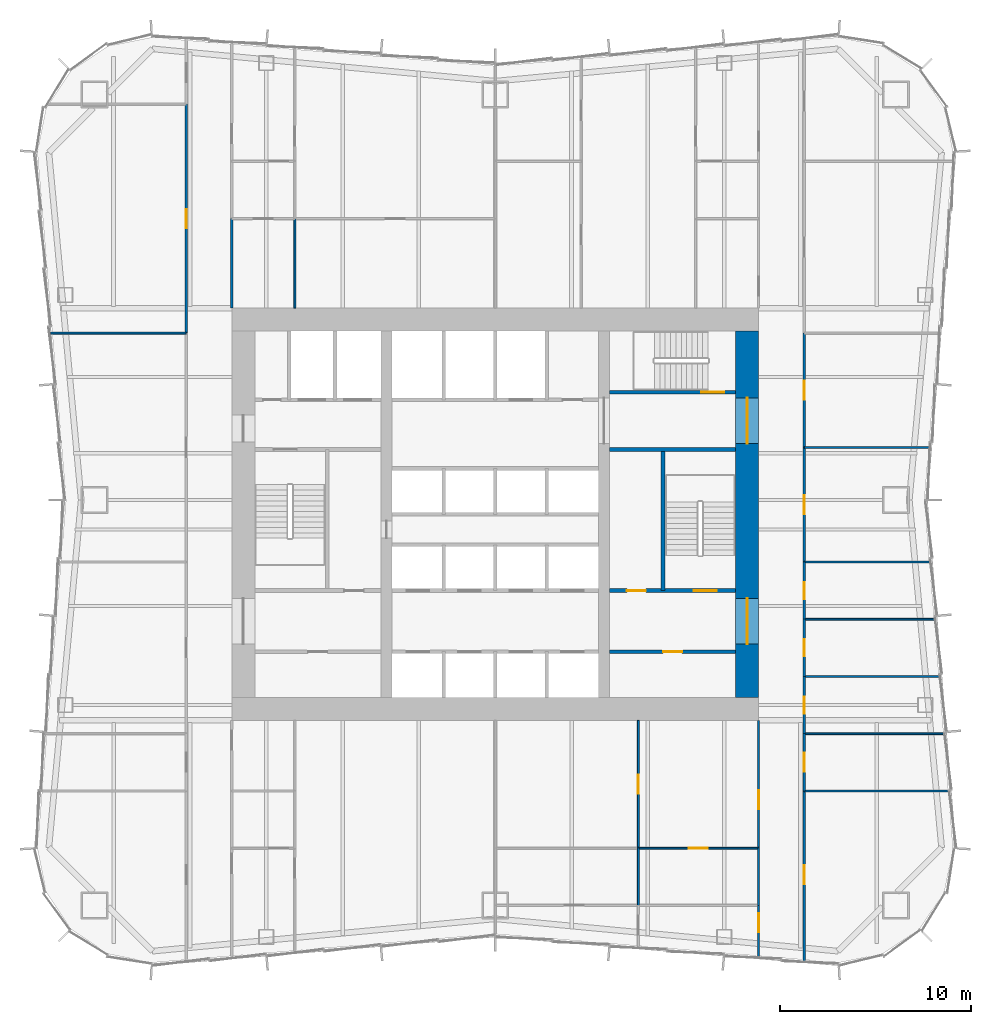
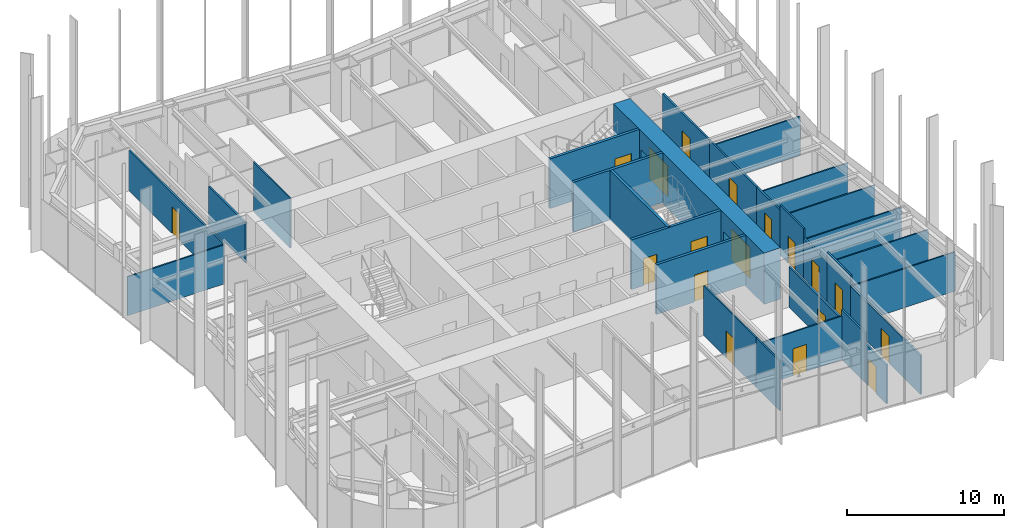
# One storey, part 10 of 13: 29 walls, 18 doors, 18 openings.
"""IFC4 building model written with IfcOpenShell, lengths in metres."""

import ifcopenshell
import ifcopenshell.guid

model = None  # the IFC model being written
_history = None  # IfcOwnerHistory: only IFC2X3 demands one
_inside = {}  # id of a spatial element -> (the spatial element, [elements in it])
_under = {}  # id of a project, library or spatial element -> (it, [spatial elements below it])
_declared = {}  # id of a project -> (the project, [libraries it declares])
_typed = {}  # id of a type object -> (the type object, [elements of that type])
_made_of = {}  # id of a material, layer set ... -> (it, [elements and type objects made of it])


def new_model(schema):
    """Start an empty IFC model of exactly this schema.

    Asked for "IFC4X3", IfcOpenShell would pick the latest addendum, in which some entities
    have other attributes; the version numbers below select the first issue.
    IFC2X3 requires an IfcOwnerHistory on every rooted entity: one is made here for all.
    """
    global model, _history
    if schema == "IFC4X3":
        model = ifcopenshell.file(schema_version=(4, 3, 0, 0))
    else:
        model = ifcopenshell.file(schema=schema)
    _inside.clear()
    _under.clear()
    _declared.clear()
    _typed.clear()
    _made_of.clear()
    _history = None
    if model.schema == "IFC2X3":
        org = make("IfcOrganization", Name="unknown")
        user = make(
            "IfcPersonAndOrganization",
            ThePerson=make("IfcPerson", FamilyName="unknown"),
            TheOrganization=org,
        )
        app = make(
            "IfcApplication",
            ApplicationDeveloper=org,
            Version="unknown",
            ApplicationFullName="unknown",
            ApplicationIdentifier="unknown",
        )
        _history = make(
            "IfcOwnerHistory",
            OwningUser=user,
            OwningApplication=app,
            ChangeAction="ADDED",
            CreationDate=0,
        )
    return model


def make(cls, **values):
    """One entity of the class cls with the attributes given. An attribute that is None is left unset."""
    return model.create_entity(
        cls, **{name: value for name, value in values.items() if value is not None}
    )


def rooted(cls, **values):
    """An entity with a GlobalId (a new one), such as an element, a storey or a relation."""
    return make(cls, GlobalId=ifcopenshell.guid.new(), OwnerHistory=_history, **values)


def si_unit(unit_type, name, prefix=None):
    """IfcSIUnit, for example si_unit("LENGTHUNIT", "METRE", prefix="MILLI")."""
    return make("IfcSIUnit", UnitType=unit_type, Prefix=prefix, Name=name)


def assignment(units):
    """IfcUnitAssignment: the units of a project."""
    return None if units is None else make("IfcUnitAssignment", Units=units)


def point(xyz):
    """IfcCartesianPoint."""
    return None if xyz is None else make("IfcCartesianPoint", Coordinates=xyz)


def direction(xyz):
    """IfcDirection."""
    return None if xyz is None else make("IfcDirection", DirectionRatios=xyz)


def frame(location, z_axis=None, x_axis=None):
    """IfcAxis2Placement3D, a coordinate frame: its origin and axes. An axis left out is left unset."""
    return make(
        "IfcAxis2Placement3D",
        Location=point(location),
        Axis=direction(z_axis),
        RefDirection=direction(x_axis),
    )


def frame_2d(location, x_axis=None):
    """IfcAxis2Placement2D, a coordinate frame in the plane: its origin and x axis."""
    return make(
        "IfcAxis2Placement2D", Location=point(location), RefDirection=direction(x_axis)
    )


def origin():
    """The frame at (0, 0, 0) with its axes left unset."""
    return frame((0.0, 0.0, 0.0))


def place(relative_to, where):
    """IfcLocalPlacement: puts the frame where relative to a parent placement (None: the world)."""
    return make(
        "IfcLocalPlacement", PlacementRelTo=relative_to, RelativePlacement=where
    )


def context(
    kind, dimensions, precision=None, world=None, true_north=None, identifier=None
):
    """IfcGeometricRepresentationContext, for example the 3D "Model" context."""
    return make(
        "IfcGeometricRepresentationContext",
        ContextIdentifier=identifier,
        ContextType=kind,
        CoordinateSpaceDimension=dimensions,
        Precision=precision,
        WorldCoordinateSystem=world,
        TrueNorth=true_north,
    )


def subcontext(parent, identifier, kind, view, scale=None):
    """IfcGeometricRepresentationSubContext, for example "Body" below "Model"."""
    return make(
        "IfcGeometricRepresentationSubContext",
        ContextIdentifier=identifier,
        ContextType=kind,
        ParentContext=parent,
        TargetScale=scale,
        TargetView=view,
    )


def project(units=None, contexts=None):
    """IfcProject with its units and contexts."""
    return rooted(
        "IfcProject",
        Name="project",
        RepresentationContexts=contexts,
        UnitsInContext=assignment(units),
    )


def spatial(cls, under=None, at=None, **own):
    """A site, building, storey or space (cls), placed at a placement, below another one or the project."""
    s = rooted(cls, ObjectPlacement=at, **own)
    if under is not None:
        _under.setdefault(under.id(), (under, []))[1].append(s)
    return s


def profile(cls, at=None, kind="AREA", **sizes):
    """A parametric profile (cls). Its sizes go by their IFC names, for example OverallWidth=200.0."""
    return make(cls, ProfileType=kind, Position=at, **sizes)


def rectangle(**sizes):
    """IfcRectangleProfileDef."""
    return profile("IfcRectangleProfileDef", **sizes)


def extrude(swept, where, along, depth):
    """IfcExtrudedAreaSolid: the profile swept, set in the frame where, extruded along a direction by depth."""
    return make(
        "IfcExtrudedAreaSolid",
        SweptArea=swept,
        Position=where,
        ExtrudedDirection=direction(along),
        Depth=depth,
    )


def shape(context_of_items, identifier, shape_type, items):
    """IfcShapeRepresentation: the items that make up one representation, for example the "Body"."""
    return make(
        "IfcShapeRepresentation",
        ContextOfItems=context_of_items,
        RepresentationIdentifier=identifier,
        RepresentationType=shape_type,
        Items=items,
    )


def material(Name=None, Category=None):
    """IfcMaterial."""
    return make("IfcMaterial", Name=Name, Category=Category)


def layer(
    of_material, thickness, ventilated=None, Name=None, Category=None, Priority=None
):
    """IfcMaterialLayer: one layer of a wall or slab, of a material (None: an air gap)."""
    return make(
        "IfcMaterialLayer",
        Material=of_material,
        LayerThickness=thickness,
        IsVentilated=ventilated,
        Name=Name,
        Category=Category,
        Priority=Priority,
    )


def layer_set(layers, Name=None):
    """IfcMaterialLayerSet."""
    return make("IfcMaterialLayerSet", MaterialLayers=layers, LayerSetName=Name)


def made_of(thing, what):
    """Note that an element or type object is made of a material, layer set ...; save() writes the relation."""
    if what is not None:
        _made_of.setdefault(what.id(), (what, []))[1].append(thing)
    return thing


def type_object(cls, material=None, **own):
    """A type object (cls), such as IfcWallType, which elements share."""
    return made_of(rooted(cls, **own), material)


def element(
    cls,
    number,
    at=None,
    inside=None,
    cuts=None,
    type_object=None,
    material=None,
    context=None,
    identifier="Body",
    shape_type=None,
    held_by="IfcProductDefinitionShape",
    body=None,
    shapes=None,
    **own,
):
    """One element of the class cls, such as IfcWall. Its Tag is "e" and its number.

    at: its placement. inside: the storey or other place that contains it. cuts: it is an
    opening in that element (IfcRelVoidsElement). A single representation is given by context,
    identifier, shape_type and body (its items); several are given by shapes. held_by: the class
    of the entity that holds the representations. save() writes the other relations.
    """
    e = rooted(cls, Tag="e%d" % number, ObjectPlacement=at, **own)
    if body is not None:
        shapes = [shape(context, identifier, shape_type, body)]
    if shapes is not None:
        e.Representation = make(held_by, Representations=shapes)
    if inside is not None:
        _inside.setdefault(inside.id(), (inside, []))[1].append(e)
    if cuts is not None:
        rooted(
            "IfcRelVoidsElement", RelatingBuildingElement=cuts, RelatedOpeningElement=e
        )
    if type_object is not None:
        _typed.setdefault(type_object.id(), (type_object, []))[1].append(e)
    return made_of(e, material)


def fill(opening, filler):
    """IfcRelFillsElement: the door or window that sits in an opening."""
    return rooted(
        "IfcRelFillsElement",
        RelatingOpeningElement=opening,
        RelatedBuildingElement=filler,
    )


def aggregate(whole, parts):
    """IfcRelAggregates: a whole, such as a stair, and the parts it consists of."""
    return rooted("IfcRelAggregates", RelatingObject=whole, RelatedObjects=parts)


def save(model, path):
    """Write the relations noted so far, then the file.

    IfcRelAggregates (storeys below a building ...), IfcRelContainedInSpatialStructure (elements
    in a storey), IfcRelDefinesByType, IfcRelAssociatesMaterial and IfcRelDeclares: one each for
    every whole, place, type object, material and project.
    """
    for whole, parts in _under.values():
        aggregate(whole, parts)
    for where, things in _inside.values():
        rooted(
            "IfcRelContainedInSpatialStructure",
            RelatedElements=things,
            RelatingStructure=where,
        )
    for kind, things in _typed.values():
        rooted("IfcRelDefinesByType", RelatedObjects=things, RelatingType=kind)
    for what, things in _made_of.values():
        rooted("IfcRelAssociatesMaterial", RelatedObjects=things, RelatingMaterial=what)
    for by, libraries in _declared.values():
        rooted("IfcRelDeclares", RelatingContext=by, RelatedDefinitions=libraries)
    model.write(path)


model = new_model("IFC4")

# Units and contexts
model_context = context("Model", 3, precision=1e-05, world=origin(), true_north=direction((0.0, 1.0)))
body_context = subcontext(model_context, "Body", "Model", "MODEL_VIEW")
ifc_project = project(units=[si_unit("LENGTHUNIT", "METRE"), si_unit("AREAUNIT", "SQUARE_METRE"), si_unit("VOLUMEUNIT", "CUBIC_METRE"), si_unit("PLANEANGLEUNIT", "RADIAN"), si_unit("MASSUNIT", "GRAM", prefix="KILO")], contexts=[model_context])

# Site, building, storey
site_placement = place(None, origin())
site = spatial("IfcSite", under=ifc_project, at=site_placement, CompositionType="ELEMENT")
building_placement = place(site_placement, origin())
building = spatial("IfcBuilding", under=site, at=building_placement, Name="Verdant Reach Tower", CompositionType="ELEMENT")
storey_placement = place(building_placement, frame((0.0, 0.0, 82.0)))
storey = spatial("IfcBuildingStorey", under=building, at=storey_placement, Name="L18", CompositionType="ELEMENT", Elevation=82.0)

# Wall, opening, door
ifc_material_1 = material(Name="Gypsum board on steel studs", Category="steel")
ifc_layer_1 = layer(ifc_material_1, 0.199951171875)
ifc_layer_set_1 = layer_set([ifc_layer_1], Name="CO-WALL-ROOM")
wall_type_1 = type_object("IfcWallType", Name="CO-WALL-ROOM", PredefinedType="PARTITIONING", material=ifc_layer_set_1)
wall_1_placement = place(storey_placement, frame((6.0, 20.800048828125, 0.0), z_axis=(0.0, 0.0, 1.0), x_axis=(1.0, 0.0, 0.0)))
wall_1 = element("IfcWall", 1, at=wall_1_placement, inside=storey, type_object=wall_type_1, Name="Core partition, L18", PredefinedType="PARTITIONING", context=body_context, shape_type="SweptSolid", body=[
    extrude(rectangle(XDim=6.60009765625, YDim=0.199951171875, at=frame_2d((3.300048828125, 0.0))), origin(), (0.0, 0.0, 1.0), 3.8701171875),
])
opening_1_placement = place(wall_1_placement, frame((2.800048828125, 0.0, 0.0)))
opening_1 = element("IfcOpeningElement", 2, at=opening_1_placement, cuts=wall_1, Name="Opening CD", PredefinedType="OPENING", context=body_context, shape_type="SweptSolid", body=[
    extrude(rectangle(XDim=1.0, YDim=2.10009765625, at=frame_2d((0.5, 1.050048828125))), frame((0.0, 0.10986328125, 0.0), z_axis=(0.0, -1.0, 0.0), x_axis=(1.0, 0.0, 0.0)), (0.0, 0.0, 1.0), 0.219970703125),
])
ifc_material_2 = material(Name="Timber", Category="wood")
door_type_1 = type_object("IfcDoorType", Name="CO-DOOR-ROOM", OperationType="NOTDEFINED", PredefinedType="DOOR", material=ifc_material_2)
door_1_placement = place(opening_1_placement, origin())
door_1 = element("IfcDoor", 3, at=door_1_placement, inside=storey, type_object=door_type_1, Name="Core room door, L18", OperationType="SINGLE_SWING_RIGHT", OverallHeight=2.10009765625, OverallWidth=1.0, PredefinedType="DOOR", context=body_context, shape_type="SweptSolid", body=[
    extrude(rectangle(XDim=1.0, YDim=2.10009765625, at=frame_2d((0.5, 1.050048828125))), frame((0.0, 0.02490234375, 0.0), z_axis=(0.0, -1.0, 0.0), x_axis=(1.0, 0.0, 0.0)), (0.0, 0.0, 1.0), 0.050048828125),
])
fill(opening_1, door_1)

# Wall, openings, doors
ifc_material_3 = material(Name="Concrete C40/50", Category="concrete")
ifc_layer_2 = layer(ifc_material_3, 0.199951171875)
ifc_layer_set_2 = layer_set([ifc_layer_2], Name="CO-WALL-STAIR")
wall_type_2 = type_object("IfcWallType", Name="CO-WALL-STAIR", PredefinedType="PARTITIONING", material=ifc_layer_set_2)
wall_2_placement = place(storey_placement, frame((6.0, 24.0, 0.0), z_axis=(0.0, 0.0, 1.0), x_axis=(1.0, 0.0, 0.0)))
wall_2 = element("IfcWall", 4, at=wall_2_placement, inside=storey, type_object=wall_type_2, Name="Stair enclosure wall, L18", PredefinedType="PARTITIONING", context=body_context, shape_type="SweptSolid", body=[
    extrude(rectangle(XDim=6.60009765625, YDim=0.199951171875, at=frame_2d((3.300048828125, 0.0))), origin(), (0.0, 0.0, 1.0), 3.8701171875),
])
opening_2_placement = place(wall_2_placement, frame((0.89990234375, 0.0, 0.0)))
opening_2 = element("IfcOpeningElement", 5, at=opening_2_placement, cuts=wall_2, Name="Opening CD", PredefinedType="OPENING", context=body_context, shape_type="SweptSolid", body=[
    extrude(rectangle(XDim=1.0, YDim=2.10009765625, at=frame_2d((0.5, 1.050048828125))), frame((0.0, 0.10986328125, 0.0), z_axis=(0.0, -1.0, 0.0), x_axis=(1.0, 0.0, 0.0)), (0.0, 0.0, 1.0), 0.219970703125),
])
opening_3_placement = place(wall_2_placement, frame((4.39990234375, 0.0, 0.0)))
opening_3 = element("IfcOpeningElement", 6, at=opening_3_placement, cuts=wall_2, Name="Opening SD", PredefinedType="OPENING", context=body_context, shape_type="SweptSolid", body=[
    extrude(rectangle(XDim=1.199951171875, YDim=2.199951171875, at=frame_2d((0.60009765625, 1.10009765625))), frame((0.0, 0.10986328125, 0.0), z_axis=(0.0, -1.0, 0.0), x_axis=(1.0, 0.0, 0.0)), (0.0, 0.0, 1.0), 0.219970703125),
])
door_2_placement = place(opening_2_placement, origin())
door_2 = element("IfcDoor", 7, at=door_2_placement, inside=storey, type_object=door_type_1, Name="Core room door, L18", OperationType="SINGLE_SWING_LEFT", OverallHeight=2.10009765625, OverallWidth=1.0, PredefinedType="DOOR", context=body_context, shape_type="SweptSolid", body=[
    extrude(rectangle(XDim=1.0, YDim=2.10009765625, at=frame_2d((0.5, 1.050048828125))), frame((0.0, 0.02490234375, 0.0), z_axis=(0.0, -1.0, 0.0), x_axis=(1.0, 0.0, 0.0)), (0.0, 0.0, 1.0), 0.050048828125),
])
fill(opening_2, door_2)
ifc_material_4 = material(Name="Steel", Category="steel")
door_type_2 = type_object("IfcDoorType", Name="CO-DOOR-STAIR", OperationType="NOTDEFINED", PredefinedType="DOOR", material=ifc_material_4)
door_3_placement = place(opening_3_placement, origin())
door_3 = element("IfcDoor", 8, at=door_3_placement, inside=storey, type_object=door_type_2, Name="Stair door, L18", OperationType="SINGLE_SWING_LEFT", OverallHeight=2.199951171875, OverallWidth=1.199951171875, PredefinedType="DOOR", context=body_context, shape_type="SweptSolid", body=[
    extrude(rectangle(XDim=1.199951171875, YDim=2.199951171875, at=frame_2d((0.60009765625, 1.10009765625))), frame((0.0, 0.02490234375, 0.0), z_axis=(0.0, -1.0, 0.0), x_axis=(1.0, 0.0, 0.0)), (0.0, 0.0, 1.0), 0.050048828125),
])
fill(opening_3, door_3)

# Wall
wall_3_placement = place(storey_placement, frame((6.0, 31.39990234375, 0.0), z_axis=(0.0, 0.0, 1.0), x_axis=(1.0, 0.0, 0.0)))
element("IfcWall", 9, at=wall_3_placement, inside=storey, type_object=wall_type_2, Name="Stair enclosure wall, L18", PredefinedType="PARTITIONING", context=body_context, shape_type="SweptSolid", body=[
    extrude(rectangle(XDim=6.60009765625, YDim=0.199951171875, at=frame_2d((3.300048828125, 0.0))), origin(), (0.0, 0.0, 1.0), 3.8701171875),
])

# Wall, opening, door
wall_4_placement = place(storey_placement, frame((6.0, 34.39990234375, 0.0), z_axis=(0.0, 0.0, 1.0), x_axis=(1.0, 0.0, 0.0)))
wall_4 = element("IfcWall", 10, at=wall_4_placement, inside=storey, type_object=wall_type_2, Name="Stair enclosure wall, L18", PredefinedType="PARTITIONING", context=body_context, shape_type="SweptSolid", body=[
    extrude(rectangle(XDim=6.60009765625, YDim=0.199951171875, at=frame_2d((3.300048828125, 0.0))), origin(), (0.0, 0.0, 1.0), 3.8701171875),
])
opening_4_placement = place(wall_4_placement, frame((4.800048828125, 0.0, 0.0)))
opening_4 = element("IfcOpeningElement", 11, at=opening_4_placement, cuts=wall_4, Name="Opening SD", PredefinedType="OPENING", context=body_context, shape_type="SweptSolid", body=[
    extrude(rectangle(XDim=1.199951171875, YDim=2.199951171875, at=frame_2d((0.60009765625, 1.10009765625))), frame((0.0, 0.10986328125, 0.0), z_axis=(0.0, -1.0, 0.0), x_axis=(1.0, 0.0, 0.0)), (0.0, 0.0, 1.0), 0.219970703125),
])
door_4_placement = place(opening_4_placement, origin())
door_4 = element("IfcDoor", 12, at=door_4_placement, inside=storey, type_object=door_type_2, Name="Stair door, L18", OperationType="SINGLE_SWING_RIGHT", OverallHeight=2.199951171875, OverallWidth=1.199951171875, PredefinedType="DOOR", context=body_context, shape_type="SweptSolid", body=[
    extrude(rectangle(XDim=1.199951171875, YDim=2.199951171875, at=frame_2d((0.60009765625, 1.10009765625))), frame((0.0, 0.02490234375, 0.0), z_axis=(0.0, -1.0, 0.0), x_axis=(1.0, 0.0, 0.0)), (0.0, 0.0, 1.0), 0.050048828125),
])
fill(opening_4, door_4)

# Walls
wall_5_placement = place(storey_placement, frame((8.800048828125, 24.0, 0.0), z_axis=(0.0, 0.0, 1.0), x_axis=(0.0, 1.0, 0.0)))
element("IfcWall", 13, at=wall_5_placement, inside=storey, type_object=wall_type_2, Name="Stair enclosure wall, L18", PredefinedType="PARTITIONING", context=body_context, shape_type="SweptSolid", body=[
    extrude(rectangle(XDim=7.39990234375, YDim=0.199951171875, at=frame_2d((3.699951171875, 0.0))), origin(), (0.0, 0.0, 1.0), 3.8701171875),
])
ifc_layer_3 = layer(ifc_material_1, 0.10009765625)
ifc_layer_set_3 = layer_set([ifc_layer_3], Name="FL-W1 Partition 100")
wall_type_3 = type_object("IfcWallType", Name="FL-W1 Partition 100", PredefinedType="PARTITIONING", material=ifc_layer_set_3)
wall_6_placement = place(storey_placement, frame((-16.199951171875, 37.5, 0.0), z_axis=(0.0, 0.0, 1.0), x_axis=(-1.0, 0.0, 0.0)))
element("IfcWall", 14, at=wall_6_placement, inside=storey, type_object=wall_type_3, Name="Partition 18.31", PredefinedType="PARTITIONING", context=body_context, shape_type="SweptSolid", body=[
    extrude(rectangle(XDim=7.099365234375, YDim=0.10009765625, at=frame_2d((3.5498046875, 0.0))), origin(), (0.0, 0.0, 1.0), 3.0400390625),
])
wall_7_placement = place(storey_placement, frame((23.83349609375, 13.5, 0.0), z_axis=(0.0, 0.0, 1.0), x_axis=(-1.0, 0.0, 0.0)))
element("IfcWall", 15, at=wall_7_placement, inside=storey, type_object=wall_type_3, Name="Partition 18.33", PredefinedType="PARTITIONING", context=body_context, shape_type="SweptSolid", body=[
    extrude(rectangle(XDim=7.633544921875, YDim=0.10009765625, at=frame_2d((3.81689453125, 0.0))), origin(), (0.0, 0.0, 1.0), 3.0400390625),
])
wall_8_placement = place(storey_placement, frame((23.5869140625, 16.5, 0.0), z_axis=(0.0, 0.0, 1.0), x_axis=(-1.0, 0.0, 0.0)))
element("IfcWall", 16, at=wall_8_placement, inside=storey, type_object=wall_type_3, Name="Partition 18.34", PredefinedType="PARTITIONING", context=body_context, shape_type="SweptSolid", body=[
    extrude(rectangle(XDim=7.386962890625, YDim=0.10009765625, at=frame_2d((3.693359375, 0.0))), origin(), (0.0, 0.0, 1.0), 3.0400390625),
])
wall_9_placement = place(storey_placement, frame((23.34033203125, 19.5, 0.0), z_axis=(0.0, 0.0, 1.0), x_axis=(-1.0, 0.0, 0.0)))
element("IfcWall", 17, at=wall_9_placement, inside=storey, type_object=wall_type_3, Name="Partition 18.35", PredefinedType="PARTITIONING", context=body_context, shape_type="SweptSolid", body=[
    extrude(rectangle(XDim=7.140380859375, YDim=0.10009765625, at=frame_2d((3.5703125, 0.0))), origin(), (0.0, 0.0, 1.0), 3.0400390625),
])
wall_10_placement = place(storey_placement, frame((23.09375, 22.5, 0.0), z_axis=(0.0, 0.0, 1.0), x_axis=(-1.0, 0.0, 0.0)))
element("IfcWall", 18, at=wall_10_placement, inside=storey, type_object=wall_type_3, Name="Partition 18.36", PredefinedType="PARTITIONING", context=body_context, shape_type="SweptSolid", body=[
    extrude(rectangle(XDim=6.893798828125, YDim=0.10009765625, at=frame_2d((3.44677734375, 0.0))), origin(), (0.0, 0.0, 1.0), 3.0400390625),
])
wall_11_placement = place(storey_placement, frame((22.84716796875, 25.5, 0.0), z_axis=(0.0, 0.0, 1.0), x_axis=(-1.0, 0.0, 0.0)))
element("IfcWall", 19, at=wall_11_placement, inside=storey, type_object=wall_type_3, Name="Partition 18.37", PredefinedType="PARTITIONING", context=body_context, shape_type="SweptSolid", body=[
    extrude(rectangle(XDim=6.647216796875, YDim=0.10009765625, at=frame_2d((3.32373046875, 0.0))), origin(), (0.0, 0.0, 1.0), 3.0400390625),
])
wall_12_placement = place(storey_placement, frame((22.805908203125, 31.5, 0.0), z_axis=(0.0, 0.0, 1.0), x_axis=(-1.0, 0.0, 0.0)))
element("IfcWall", 20, at=wall_12_placement, inside=storey, type_object=wall_type_3, Name="Partition 18.38", PredefinedType="PARTITIONING", context=body_context, shape_type="SweptSolid", body=[
    extrude(rectangle(XDim=6.60595703125, YDim=0.10009765625, at=frame_2d((3.302978515625, 0.0))), origin(), (0.0, 0.0, 1.0), 3.0400390625),
])

# Wall, opening, door
wall_13_placement = place(storey_placement, frame((13.800048828125, 10.5, 0.0), z_axis=(0.0, 0.0, 1.0), x_axis=(-1.0, 0.0, 0.0)))
wall_13 = element("IfcWall", 21, at=wall_13_placement, inside=storey, type_object=wall_type_3, Name="Partition 18.51", PredefinedType="PARTITIONING", context=body_context, shape_type="SweptSolid", body=[
    extrude(rectangle(XDim=6.300048828125, YDim=0.10009765625, at=frame_2d((3.14990234375, 0.0))), origin(), (0.0, 0.0, 1.0), 3.389892578125),
])
opening_5_placement = place(wall_13_placement, frame((2.64990234375, 0.0, 0.0)))
opening_5 = element("IfcOpeningElement", 22, at=opening_5_placement, cuts=wall_13, Name="Opening D3", PredefinedType="OPENING", context=body_context, shape_type="SweptSolid", body=[
    extrude(rectangle(XDim=1.0, YDim=2.10009765625, at=frame_2d((0.5, 1.050048828125))), frame((0.0, 0.06005859375, 0.0), z_axis=(0.0, -1.0, 0.0), x_axis=(1.0, 0.0, 0.0)), (0.0, 0.0, 1.0), 0.1201171875),
])
ifc_material_5 = material(Name="Painted timber door leaf", Category="wood")
door_type_3 = type_object("IfcDoorType", Name="FL-D3 Door 1000x2100", OperationType="NOTDEFINED", PredefinedType="DOOR", material=ifc_material_5)
door_5_placement = place(opening_5_placement, origin())
door_5 = element("IfcDoor", 23, at=door_5_placement, inside=storey, type_object=door_type_3, Name="Door 18-026", OperationType="SINGLE_SWING_RIGHT", OverallHeight=2.10009765625, OverallWidth=1.0, PredefinedType="DOOR", context=body_context, shape_type="SweptSolid", body=[
    extrude(rectangle(XDim=1.0, YDim=2.10009765625, at=frame_2d((0.5, 1.050048828125))), frame((0.0, 0.02490234375, 0.0), z_axis=(0.0, -1.0, 0.0), x_axis=(1.0, 0.0, 0.0)), (0.0, 0.0, 1.0), 0.050048828125),
])
fill(opening_5, door_5)

# Wall
wall_14_placement = place(storey_placement, frame((7.5, 10.5, 0.0), z_axis=(0.0, 0.0, 1.0), x_axis=(0.0, -1.0, 0.0)))
element("IfcWall", 24, at=wall_14_placement, inside=storey, type_object=wall_type_3, Name="Partition 18.52", PredefinedType="PARTITIONING", context=body_context, shape_type="SweptSolid", body=[
    extrude(rectangle(XDim=3.0, YDim=0.10009765625, at=frame_2d((1.5, 0.0))), origin(), (0.0, 0.0, 1.0), 3.8701171875),
])

# Wall, opening, door
wall_15_placement = place(storey_placement, frame((7.5, 10.5, 0.0), z_axis=(0.0, 0.0, 1.0), x_axis=(0.0, 1.0, 0.0)))
wall_15 = element("IfcWall", 25, at=wall_15_placement, inside=storey, type_object=wall_type_3, Name="Partition 18.53", PredefinedType="PARTITIONING", context=body_context, shape_type="SweptSolid", body=[
    extrude(rectangle(XDim=6.699951171875, YDim=0.10009765625, at=frame_2d((3.35009765625, 0.0))), origin(), (0.0, 0.0, 1.0), 3.8701171875),
])
opening_6_placement = place(wall_15_placement, frame((2.85009765625, 0.0, 0.0)))
opening_6 = element("IfcOpeningElement", 26, at=opening_6_placement, cuts=wall_15, Name="Opening D3", PredefinedType="OPENING", context=body_context, shape_type="SweptSolid", body=[
    extrude(rectangle(XDim=1.0, YDim=2.10009765625, at=frame_2d((0.5, 1.050048828125))), frame((0.0, 0.06005859375, 0.0), z_axis=(0.0, -1.0, 0.0), x_axis=(1.0, 0.0, 0.0)), (0.0, 0.0, 1.0), 0.1201171875),
])
door_6_placement = place(opening_6_placement, origin())
door_6 = element("IfcDoor", 27, at=door_6_placement, inside=storey, type_object=door_type_3, Name="Door 18-027", OperationType="SINGLE_SWING_LEFT", OverallHeight=2.10009765625, OverallWidth=1.0, PredefinedType="DOOR", context=body_context, shape_type="SweptSolid", body=[
    extrude(rectangle(XDim=1.0, YDim=2.10009765625, at=frame_2d((0.5, 1.050048828125))), frame((0.0, 0.02490234375, 0.0), z_axis=(0.0, -1.0, 0.0), x_axis=(1.0, 0.0, 0.0)), (0.0, 0.0, 1.0), 0.050048828125),
])
fill(opening_6, door_6)

# Wall
wall_16_placement = place(storey_placement, frame((-10.5, 38.800048828125, 0.0), z_axis=(0.0, 0.0, 1.0), x_axis=(0.0, 1.0, 0.0)))
element("IfcWall", 28, at=wall_16_placement, inside=storey, type_object=wall_type_3, Name="Partition 18.57", PredefinedType="PARTITIONING", context=body_context, shape_type="SweptSolid", body=[
    extrude(rectangle(XDim=4.699951171875, YDim=0.10009765625, at=frame_2d((2.35009765625, 0.0))), origin(), (0.0, 0.0, 1.0), 3.8701171875),
])

# Wall, opening, door
ifc_material_6 = material(Name="Gypsum board on steel studs, fire rated", Category="steel")
ifc_layer_4 = layer(ifc_material_6, 0.125)
ifc_layer_set_4 = layer_set([ifc_layer_4], Name="FL-W2 Corridor wall 125")
wall_type_4 = type_object("IfcWallType", Name="FL-W2 Corridor wall 125", PredefinedType="PARTITIONING", material=ifc_layer_set_4)
wall_17_placement = place(storey_placement, frame((-16.199951171875, 37.5, 0.0), z_axis=(0.0, 0.0, 1.0), x_axis=(0.0, 1.0, 0.0)))
wall_17 = element("IfcWall", 29, at=wall_17_placement, inside=storey, type_object=wall_type_4, Name="Partition 18.05", PredefinedType="PARTITIONING", context=body_context, shape_type="SweptSolid", body=[
    extrude(rectangle(XDim=12.0, YDim=0.125, at=frame_2d((6.0, 0.0))), origin(), (0.0, 0.0, 1.0), 3.139892578125),
])
opening_7_placement = place(wall_17_placement, frame((5.5, 0.0, 0.0)))
opening_7 = element("IfcOpeningElement", 30, at=opening_7_placement, cuts=wall_17, Name="Opening D2", PredefinedType="OPENING", context=body_context, shape_type="SweptSolid", body=[
    extrude(rectangle(XDim=1.0, YDim=2.10009765625, at=frame_2d((0.5, 1.050048828125))), frame((0.0, 0.072509765625, 0.0), z_axis=(0.0, -1.0, 0.0), x_axis=(1.0, 0.0, 0.0)), (0.0, 0.0, 1.0), 0.14501953125),
])
ifc_material_7 = material(Name="Timber door leaf, fire rated", Category="wood")
door_type_4 = type_object("IfcDoorType", Name="FL-D2 Entrance door 1000x2100 FD30", OperationType="NOTDEFINED", PredefinedType="DOOR", material=ifc_material_7)
door_7_placement = place(opening_7_placement, origin())
door_7 = element("IfcDoor", 31, at=door_7_placement, inside=storey, type_object=door_type_4, Name="Door 18-005", OperationType="SINGLE_SWING_LEFT", OverallHeight=2.10009765625, OverallWidth=1.0, PredefinedType="DOOR", context=body_context, shape_type="SweptSolid", body=[
    extrude(rectangle(XDim=1.0, YDim=2.10009765625, at=frame_2d((0.5, 1.050048828125))), frame((0.0, 0.02490234375, 0.0), z_axis=(0.0, -1.0, 0.0), x_axis=(1.0, 0.0, 0.0)), (0.0, 0.0, 1.0), 0.050048828125),
])
fill(opening_7, door_7)

# Wall
wall_18_placement = place(storey_placement, frame((-13.800048828125, 38.800048828125, 0.0), z_axis=(0.0, 0.0, 1.0), x_axis=(0.0, 1.0, 0.0)))
element("IfcWall", 32, at=wall_18_placement, inside=storey, type_object=wall_type_4, Name="Partition 18.10", PredefinedType="PARTITIONING", context=body_context, shape_type="SweptSolid", body=[
    extrude(rectangle(XDim=4.699951171875, YDim=0.125, at=frame_2d((2.35009765625, 0.0))), origin(), (0.0, 0.0, 1.0), 3.139892578125),
])

# Wall, opening, door
wall_19_placement = place(storey_placement, frame((16.199951171875, 13.5, 0.0), z_axis=(0.0, 0.0, 1.0), x_axis=(0.0, -1.0, 0.0)))
wall_19 = element("IfcWall", 33, at=wall_19_placement, inside=storey, type_object=wall_type_4, Name="Partition 18.13", PredefinedType="PARTITIONING", context=body_context, shape_type="SweptSolid", body=[
    extrude(rectangle(XDim=8.929931640625, YDim=0.125, at=frame_2d((4.46484375, 0.0))), origin(), (0.0, 0.0, 1.0), 3.0400390625),
])
opening_8_placement = place(wall_19_placement, frame((3.89990234375, 0.0, 0.0)))
opening_8 = element("IfcOpeningElement", 34, at=opening_8_placement, cuts=wall_19, Name="Opening D2", PredefinedType="OPENING", context=body_context, shape_type="SweptSolid", body=[
    extrude(rectangle(XDim=1.0, YDim=2.10009765625, at=frame_2d((0.5, 1.050048828125))), frame((0.0, 0.072509765625, 0.0), z_axis=(0.0, -1.0, 0.0), x_axis=(1.0, 0.0, 0.0)), (0.0, 0.0, 1.0), 0.14501953125),
])
door_8_placement = place(opening_8_placement, origin())
door_8 = element("IfcDoor", 35, at=door_8_placement, inside=storey, type_object=door_type_4, Name="Door 18-010", OperationType="SINGLE_SWING_LEFT", OverallHeight=2.10009765625, OverallWidth=1.0, PredefinedType="DOOR", context=body_context, shape_type="SweptSolid", body=[
    extrude(rectangle(XDim=1.0, YDim=2.10009765625, at=frame_2d((0.5, 1.050048828125))), frame((0.0, 0.02490234375, 0.0), z_axis=(0.0, -1.0, 0.0), x_axis=(1.0, 0.0, 0.0)), (0.0, 0.0, 1.0), 0.050048828125),
])
fill(opening_8, door_8)

wall_20_placement = place(storey_placement, frame((16.199951171875, 16.5, 0.0), z_axis=(0.0, 0.0, 1.0), x_axis=(0.0, -1.0, 0.0)))
wall_20 = element("IfcWall", 36, at=wall_20_placement, inside=storey, type_object=wall_type_4, Name="Partition 18.14", PredefinedType="PARTITIONING", context=body_context, shape_type="SweptSolid", body=[
    extrude(rectangle(XDim=3.0, YDim=0.125, at=frame_2d((1.5, 0.0))), origin(), (0.0, 0.0, 1.0), 3.8701171875),
])
opening_9_placement = place(wall_20_placement, frame((1.0, 0.0, 0.0)))
opening_9 = element("IfcOpeningElement", 37, at=opening_9_placement, cuts=wall_20, Name="Opening D2", PredefinedType="OPENING", context=body_context, shape_type="SweptSolid", body=[
    extrude(rectangle(XDim=1.0, YDim=2.10009765625, at=frame_2d((0.5, 1.050048828125))), frame((0.0, 0.072509765625, 0.0), z_axis=(0.0, -1.0, 0.0), x_axis=(1.0, 0.0, 0.0)), (0.0, 0.0, 1.0), 0.14501953125),
])
door_9_placement = place(opening_9_placement, origin())
door_9 = element("IfcDoor", 38, at=door_9_placement, inside=storey, type_object=door_type_4, Name="Door 18-011", OperationType="SINGLE_SWING_LEFT", OverallHeight=2.10009765625, OverallWidth=1.0, PredefinedType="DOOR", context=body_context, shape_type="SweptSolid", body=[
    extrude(rectangle(XDim=1.0, YDim=2.10009765625, at=frame_2d((0.5, 1.050048828125))), frame((0.0, 0.02490234375, 0.0), z_axis=(0.0, -1.0, 0.0), x_axis=(1.0, 0.0, 0.0)), (0.0, 0.0, 1.0), 0.050048828125),
])
fill(opening_9, door_9)

wall_21_placement = place(storey_placement, frame((16.199951171875, 19.5, 0.0), z_axis=(0.0, 0.0, 1.0), x_axis=(0.0, -1.0, 0.0)))
wall_21 = element("IfcWall", 39, at=wall_21_placement, inside=storey, type_object=wall_type_4, Name="Partition 18.15", PredefinedType="PARTITIONING", context=body_context, shape_type="SweptSolid", body=[
    extrude(rectangle(XDim=3.0, YDim=0.125, at=frame_2d((1.5, 0.0))), origin(), (0.0, 0.0, 1.0), 3.139892578125),
])
opening_10_placement = place(wall_21_placement, frame((1.050048828125, 0.0, 0.0)))
opening_10 = element("IfcOpeningElement", 40, at=opening_10_placement, cuts=wall_21, Name="Opening D1", PredefinedType="OPENING", context=body_context, shape_type="SweptSolid", body=[
    extrude(rectangle(XDim=0.89990234375, YDim=2.10009765625, at=frame_2d((0.449951171875, 1.050048828125))), frame((0.0, 0.072509765625, 0.0), z_axis=(0.0, -1.0, 0.0), x_axis=(1.0, 0.0, 0.0)), (0.0, 0.0, 1.0), 0.14501953125),
])
door_type_5 = type_object("IfcDoorType", Name="FL-D1 Door 900x2100", OperationType="NOTDEFINED", PredefinedType="DOOR", material=ifc_material_5)
door_10_placement = place(opening_10_placement, origin())
door_10 = element("IfcDoor", 41, at=door_10_placement, inside=storey, type_object=door_type_5, Name="Door 18-012", OperationType="SINGLE_SWING_RIGHT", OverallHeight=2.10009765625, OverallWidth=0.89990234375, PredefinedType="DOOR", context=body_context, shape_type="SweptSolid", body=[
    extrude(rectangle(XDim=0.89990234375, YDim=2.10009765625, at=frame_2d((0.449951171875, 1.050048828125))), frame((0.0, 0.02490234375, 0.0), z_axis=(0.0, -1.0, 0.0), x_axis=(1.0, 0.0, 0.0)), (0.0, 0.0, 1.0), 0.050048828125),
])
fill(opening_10, door_10)

wall_22_placement = place(storey_placement, frame((16.199951171875, 22.5, 0.0), z_axis=(0.0, 0.0, 1.0), x_axis=(0.0, -1.0, 0.0)))
wall_22 = element("IfcWall", 42, at=wall_22_placement, inside=storey, type_object=wall_type_4, Name="Partition 18.16", PredefinedType="PARTITIONING", context=body_context, shape_type="SweptSolid", body=[
    extrude(rectangle(XDim=3.0, YDim=0.125, at=frame_2d((1.5, 0.0))), origin(), (0.0, 0.0, 1.0), 3.8701171875),
])
opening_11_placement = place(wall_22_placement, frame((1.050048828125, 0.0, 0.0)))
opening_11 = element("IfcOpeningElement", 43, at=opening_11_placement, cuts=wall_22, Name="Opening D1", PredefinedType="OPENING", context=body_context, shape_type="SweptSolid", body=[
    extrude(rectangle(XDim=0.89990234375, YDim=2.10009765625, at=frame_2d((0.449951171875, 1.050048828125))), frame((0.0, 0.072509765625, 0.0), z_axis=(0.0, -1.0, 0.0), x_axis=(1.0, 0.0, 0.0)), (0.0, 0.0, 1.0), 0.14501953125),
])
door_11_placement = place(opening_11_placement, origin())
door_11 = element("IfcDoor", 44, at=door_11_placement, inside=storey, type_object=door_type_5, Name="Door 18-013", OperationType="SINGLE_SWING_LEFT", OverallHeight=2.10009765625, OverallWidth=0.89990234375, PredefinedType="DOOR", context=body_context, shape_type="SweptSolid", body=[
    extrude(rectangle(XDim=0.89990234375, YDim=2.10009765625, at=frame_2d((0.449951171875, 1.050048828125))), frame((0.0, 0.02490234375, 0.0), z_axis=(0.0, -1.0, 0.0), x_axis=(1.0, 0.0, 0.0)), (0.0, 0.0, 1.0), 0.050048828125),
])
fill(opening_11, door_11)

wall_23_placement = place(storey_placement, frame((16.199951171875, 25.5, 0.0), z_axis=(0.0, 0.0, 1.0), x_axis=(0.0, -1.0, 0.0)))
wall_23 = element("IfcWall", 45, at=wall_23_placement, inside=storey, type_object=wall_type_4, Name="Partition 18.17", PredefinedType="PARTITIONING", context=body_context, shape_type="SweptSolid", body=[
    extrude(rectangle(XDim=3.0, YDim=0.125, at=frame_2d((1.5, 0.0))), origin(), (0.0, 0.0, 1.0), 3.47998046875),
])
opening_12_placement = place(wall_23_placement, frame((1.050048828125, 0.0, 0.0)))
opening_12 = element("IfcOpeningElement", 46, at=opening_12_placement, cuts=wall_23, Name="Opening D1", PredefinedType="OPENING", context=body_context, shape_type="SweptSolid", body=[
    extrude(rectangle(XDim=0.89990234375, YDim=2.10009765625, at=frame_2d((0.449951171875, 1.050048828125))), frame((0.0, 0.072509765625, 0.0), z_axis=(0.0, -1.0, 0.0), x_axis=(1.0, 0.0, 0.0)), (0.0, 0.0, 1.0), 0.14501953125),
])
door_12_placement = place(opening_12_placement, origin())
door_12 = element("IfcDoor", 47, at=door_12_placement, inside=storey, type_object=door_type_5, Name="Door 18-014", OperationType="SINGLE_SWING_RIGHT", OverallHeight=2.10009765625, OverallWidth=0.89990234375, PredefinedType="DOOR", context=body_context, shape_type="SweptSolid", body=[
    extrude(rectangle(XDim=0.89990234375, YDim=2.10009765625, at=frame_2d((0.449951171875, 1.050048828125))), frame((0.0, 0.02490234375, 0.0), z_axis=(0.0, -1.0, 0.0), x_axis=(1.0, 0.0, 0.0)), (0.0, 0.0, 1.0), 0.050048828125),
])
fill(opening_12, door_12)

wall_24_placement = place(storey_placement, frame((16.199951171875, 31.5, 0.0), z_axis=(0.0, 0.0, 1.0), x_axis=(0.0, -1.0, 0.0)))
wall_24 = element("IfcWall", 48, at=wall_24_placement, inside=storey, type_object=wall_type_4, Name="Partition 18.18", PredefinedType="PARTITIONING", context=body_context, shape_type="SweptSolid", body=[
    extrude(rectangle(XDim=6.0, YDim=0.125, at=frame_2d((3.0, 0.0))), origin(), (0.0, 0.0, 1.0), 3.47998046875),
])
opening_13_placement = place(wall_24_placement, frame((2.5, 0.0, 0.0)))
opening_13 = element("IfcOpeningElement", 49, at=opening_13_placement, cuts=wall_24, Name="Opening D2", PredefinedType="OPENING", context=body_context, shape_type="SweptSolid", body=[
    extrude(rectangle(XDim=1.0, YDim=2.10009765625, at=frame_2d((0.5, 1.050048828125))), frame((0.0, 0.072509765625, 0.0), z_axis=(0.0, -1.0, 0.0), x_axis=(1.0, 0.0, 0.0)), (0.0, 0.0, 1.0), 0.14501953125),
])
door_13_placement = place(opening_13_placement, origin())
door_13 = element("IfcDoor", 50, at=door_13_placement, inside=storey, type_object=door_type_4, Name="Door 18-015", OperationType="SINGLE_SWING_LEFT", OverallHeight=2.10009765625, OverallWidth=1.0, PredefinedType="DOOR", context=body_context, shape_type="SweptSolid", body=[
    extrude(rectangle(XDim=1.0, YDim=2.10009765625, at=frame_2d((0.5, 1.050048828125))), frame((0.0, 0.02490234375, 0.0), z_axis=(0.0, -1.0, 0.0), x_axis=(1.0, 0.0, 0.0)), (0.0, 0.0, 1.0), 0.050048828125),
])
fill(opening_13, door_13)

wall_25_placement = place(storey_placement, frame((16.199951171875, 37.5, 0.0), z_axis=(0.0, 0.0, 1.0), x_axis=(0.0, -1.0, 0.0)))
wall_25 = element("IfcWall", 51, at=wall_25_placement, inside=storey, type_object=wall_type_4, Name="Partition 18.19", PredefinedType="PARTITIONING", context=body_context, shape_type="SweptSolid", body=[
    extrude(rectangle(XDim=6.0, YDim=0.125, at=frame_2d((3.0, 0.0))), origin(), (0.0, 0.0, 1.0), 3.47998046875),
])
opening_14_placement = place(wall_25_placement, frame((2.5, 0.0, 0.0)))
opening_14 = element("IfcOpeningElement", 52, at=opening_14_placement, cuts=wall_25, Name="Opening D2", PredefinedType="OPENING", context=body_context, shape_type="SweptSolid", body=[
    extrude(rectangle(XDim=1.0, YDim=2.10009765625, at=frame_2d((0.5, 1.050048828125))), frame((0.0, 0.072509765625, 0.0), z_axis=(0.0, -1.0, 0.0), x_axis=(1.0, 0.0, 0.0)), (0.0, 0.0, 1.0), 0.14501953125),
])
door_14_placement = place(opening_14_placement, origin())
door_14 = element("IfcDoor", 53, at=door_14_placement, inside=storey, type_object=door_type_4, Name="Door 18-016", OperationType="SINGLE_SWING_RIGHT", OverallHeight=2.10009765625, OverallWidth=1.0, PredefinedType="DOOR", context=body_context, shape_type="SweptSolid", body=[
    extrude(rectangle(XDim=1.0, YDim=2.10009765625, at=frame_2d((0.5, 1.050048828125))), frame((0.0, 0.02490234375, 0.0), z_axis=(0.0, -1.0, 0.0), x_axis=(1.0, 0.0, 0.0)), (0.0, 0.0, 1.0), 0.050048828125),
])
fill(opening_14, door_14)

wall_26_placement = place(storey_placement, frame((13.800048828125, 4.77001953125, 0.0), z_axis=(0.0, 0.0, 1.0), x_axis=(0.0, 1.0, 0.0)))
wall_26 = element("IfcWall", 54, at=wall_26_placement, inside=storey, type_object=wall_type_4, Name="Partition 18.22", PredefinedType="PARTITIONING", context=body_context, shape_type="SweptSolid", body=[
    extrude(rectangle(XDim=2.72998046875, YDim=0.125, at=frame_2d((1.364990234375, 0.0))), origin(), (0.0, 0.0, 1.0), 3.0400390625),
])
opening_15_placement = place(wall_26_placement, frame((1.330078125, 0.0, 0.0)))
opening_15 = element("IfcOpeningElement", 55, at=opening_15_placement, cuts=wall_26, Name="Opening D2", PredefinedType="OPENING", context=body_context, shape_type="SweptSolid", body=[
    extrude(rectangle(XDim=1.0, YDim=2.10009765625, at=frame_2d((0.5, 1.050048828125))), frame((0.0, 0.072509765625, 0.0), z_axis=(0.0, -1.0, 0.0), x_axis=(1.0, 0.0, 0.0)), (0.0, 0.0, 1.0), 0.14501953125),
])
door_15_placement = place(opening_15_placement, origin())
door_15 = element("IfcDoor", 56, at=door_15_placement, inside=storey, type_object=door_type_4, Name="Door 18-019", OperationType="SINGLE_SWING_RIGHT", OverallHeight=2.10009765625, OverallWidth=1.0, PredefinedType="DOOR", context=body_context, shape_type="SweptSolid", body=[
    extrude(rectangle(XDim=1.0, YDim=2.10009765625, at=frame_2d((0.5, 1.050048828125))), frame((0.0, 0.02490234375, 0.0), z_axis=(0.0, -1.0, 0.0), x_axis=(1.0, 0.0, 0.0)), (0.0, 0.0, 1.0), 0.050048828125),
])
fill(opening_15, door_15)

# Wall
wall_27_placement = place(storey_placement, frame((13.800048828125, 10.5, 0.0), z_axis=(0.0, 0.0, 1.0), x_axis=(0.0, -1.0, 0.0)))
element("IfcWall", 57, at=wall_27_placement, inside=storey, type_object=wall_type_4, Name="Partition 18.23", PredefinedType="PARTITIONING", context=body_context, shape_type="SweptSolid", body=[
    extrude(rectangle(XDim=3.0, YDim=0.125, at=frame_2d((1.5, 0.0))), origin(), (0.0, 0.0, 1.0), 3.8701171875),
])

# Wall, opening, door
wall_28_placement = place(storey_placement, frame((13.800048828125, 10.5, 0.0), z_axis=(0.0, 0.0, 1.0), x_axis=(0.0, 1.0, 0.0)))
wall_28 = element("IfcWall", 58, at=wall_28_placement, inside=storey, type_object=wall_type_4, Name="Partition 18.24", PredefinedType="PARTITIONING", context=body_context, shape_type="SweptSolid", body=[
    extrude(rectangle(XDim=6.699951171875, YDim=0.125, at=frame_2d((3.35009765625, 0.0))), origin(), (0.0, 0.0, 1.0), 3.139892578125),
])
opening_16_placement = place(wall_28_placement, frame((2.050048828125, 0.0, 0.0)))
opening_16 = element("IfcOpeningElement", 59, at=opening_16_placement, cuts=wall_28, Name="Opening D2", PredefinedType="OPENING", context=body_context, shape_type="SweptSolid", body=[
    extrude(rectangle(XDim=1.0, YDim=2.10009765625, at=frame_2d((0.5, 1.050048828125))), frame((0.0, 0.072509765625, 0.0), z_axis=(0.0, -1.0, 0.0), x_axis=(1.0, 0.0, 0.0)), (0.0, 0.0, 1.0), 0.14501953125),
])
door_16_placement = place(opening_16_placement, origin())
door_16 = element("IfcDoor", 60, at=door_16_placement, inside=storey, type_object=door_type_4, Name="Door 18-020", OperationType="SINGLE_SWING_LEFT", OverallHeight=2.10009765625, OverallWidth=1.0, PredefinedType="DOOR", context=body_context, shape_type="SweptSolid", body=[
    extrude(rectangle(XDim=1.0, YDim=2.10009765625, at=frame_2d((0.5, 1.050048828125))), frame((0.0, 0.02490234375, 0.0), z_axis=(0.0, -1.0, 0.0), x_axis=(1.0, 0.0, 0.0)), (0.0, 0.0, 1.0), 0.050048828125),
])
fill(opening_16, door_16)

# Wall, openings, doors
ifc_material_8 = material(Name="Concrete C70/85", Category="concrete")
ifc_layer_5 = layer(ifc_material_8, 1.199951171875)
ifc_layer_set_5 = layer_set([ifc_layer_5], Name="ST-CORE-WALL-1200")
wall_type_5 = type_object("IfcWallType", Name="ST-CORE-WALL-1200", PredefinedType="SHEAR", material=ifc_layer_set_5)
wall_29_placement = place(storey_placement, frame((13.199951171875, 18.39990234375, -0.1298828125), z_axis=(0.0, 0.0, 1.0), x_axis=(0.0, 1.0, 0.0)))
wall_29 = element("IfcWall", 61, at=wall_29_placement, inside=storey, type_object=wall_type_5, Name="Core wall E, L18", PredefinedType="SHEAR", context=body_context, shape_type="SweptSolid", body=[
    extrude(rectangle(XDim=19.2001953125, YDim=1.199951171875, at=frame_2d((9.60009765625, 0.0))), origin(), (0.0, 0.0, 1.0), 4.0),
])
opening_17_placement = place(wall_29_placement, frame((2.800048828125, 0.0, 0.1298828125)))
opening_17 = element("IfcOpeningElement", 62, at=opening_17_placement, cuts=wall_29, Name="Opening LB", PredefinedType="OPENING", context=body_context, shape_type="SweptSolid", body=[
    extrude(rectangle(XDim=2.39990234375, YDim=2.39990234375, at=frame_2d((1.199951171875, 1.199951171875))), frame((0.0, 0.60986328125, 0.0), z_axis=(0.0, -1.0, 0.0), x_axis=(1.0, 0.0, 0.0)), (0.0, 0.0, 1.0), 1.219970703125),
])
opening_18_placement = place(wall_29_placement, frame((13.300048828125, 0.0, 0.1298828125)))
opening_18 = element("IfcOpeningElement", 63, at=opening_18_placement, cuts=wall_29, Name="Opening LB", PredefinedType="OPENING", context=body_context, shape_type="SweptSolid", body=[
    extrude(rectangle(XDim=2.39990234375, YDim=2.39990234375, at=frame_2d((1.199951171875, 1.199951171875))), frame((0.0, 0.60986328125, 0.0), z_axis=(0.0, -1.0, 0.0), x_axis=(1.0, 0.0, 0.0)), (0.0, 0.0, 1.0), 1.219970703125),
])
ifc_material_9 = material(Name="Glass and steel", Category="steel")
door_type_6 = type_object("IfcDoorType", Name="CO-DOOR-LOBBY", OperationType="DOUBLE_DOOR_SINGLE_SWING", PredefinedType="DOOR", material=ifc_material_9)
door_17_placement = place(opening_17_placement, origin())
door_17 = element("IfcDoor", 64, at=door_17_placement, inside=storey, type_object=door_type_6, Name="Core entrance door, L18", OperationType="DOUBLE_DOOR_SINGLE_SWING", OverallHeight=2.39990234375, OverallWidth=2.39990234375, PredefinedType="DOOR", context=body_context, shape_type="SweptSolid", body=[
    extrude(rectangle(XDim=2.39990234375, YDim=2.39990234375, at=frame_2d((1.199951171875, 1.199951171875))), frame((0.0, 0.02490234375, 0.0), z_axis=(0.0, -1.0, 0.0), x_axis=(1.0, 0.0, 0.0)), (0.0, 0.0, 1.0), 0.050048828125),
])
fill(opening_17, door_17)
door_18_placement = place(opening_18_placement, origin())
door_18 = element("IfcDoor", 65, at=door_18_placement, inside=storey, type_object=door_type_6, Name="Core entrance door, L18", OperationType="DOUBLE_DOOR_SINGLE_SWING", OverallHeight=2.39990234375, OverallWidth=2.39990234375, PredefinedType="DOOR", context=body_context, shape_type="SweptSolid", body=[
    extrude(rectangle(XDim=2.39990234375, YDim=2.39990234375, at=frame_2d((1.199951171875, 1.199951171875))), frame((0.0, 0.02490234375, 0.0), z_axis=(0.0, -1.0, 0.0), x_axis=(1.0, 0.0, 0.0)), (0.0, 0.0, 1.0), 0.050048828125),
])
fill(opening_18, door_18)

save(model, "model.ifc")
